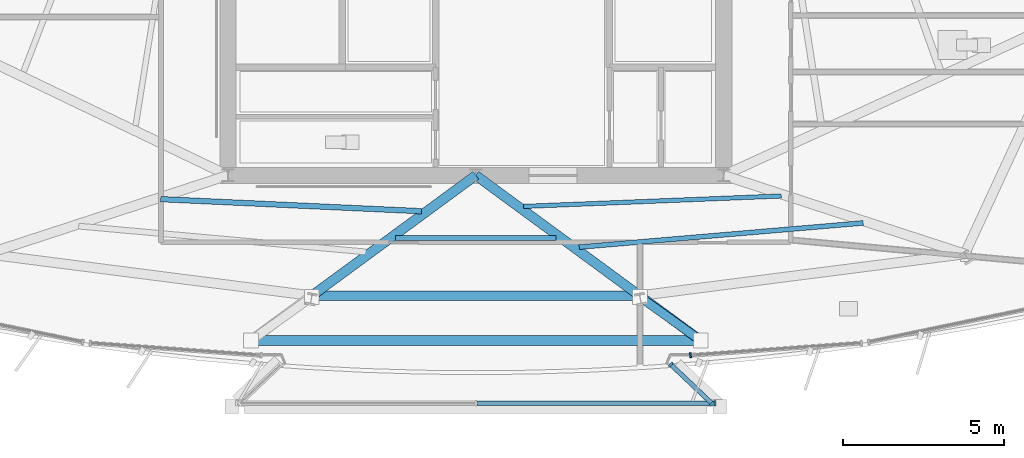
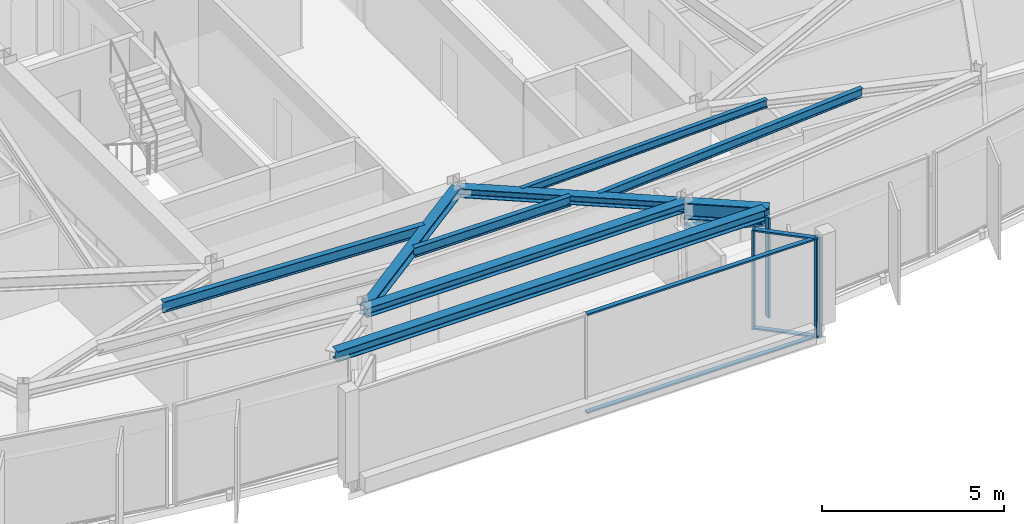
# One storey, part 3 of 13: 9 beams, 9 members, 3 elements without a shape of their own.
"""IFC4 building model written with IfcOpenShell, lengths in metres."""

import ifcopenshell
import ifcopenshell.guid

model = None  # the IFC model being written
_history = None  # IfcOwnerHistory: only IFC2X3 demands one
_inside = {}  # id of a spatial element -> (the spatial element, [elements in it])
_under = {}  # id of a project, library or spatial element -> (it, [spatial elements below it])
_declared = {}  # id of a project -> (the project, [libraries it declares])
_typed = {}  # id of a type object -> (the type object, [elements of that type])
_made_of = {}  # id of a material, layer set ... -> (it, [elements and type objects made of it])


def new_model(schema):
    """Start an empty IFC model of exactly this schema.

    Asked for "IFC4X3", IfcOpenShell would pick the latest addendum, in which some entities
    have other attributes; the version numbers below select the first issue.
    IFC2X3 requires an IfcOwnerHistory on every rooted entity: one is made here for all.
    """
    global model, _history
    if schema == "IFC4X3":
        model = ifcopenshell.file(schema_version=(4, 3, 0, 0))
    else:
        model = ifcopenshell.file(schema=schema)
    _inside.clear()
    _under.clear()
    _declared.clear()
    _typed.clear()
    _made_of.clear()
    _history = None
    if model.schema == "IFC2X3":
        org = make("IfcOrganization", Name="unknown")
        user = make(
            "IfcPersonAndOrganization",
            ThePerson=make("IfcPerson", FamilyName="unknown"),
            TheOrganization=org,
        )
        app = make(
            "IfcApplication",
            ApplicationDeveloper=org,
            Version="unknown",
            ApplicationFullName="unknown",
            ApplicationIdentifier="unknown",
        )
        _history = make(
            "IfcOwnerHistory",
            OwningUser=user,
            OwningApplication=app,
            ChangeAction="ADDED",
            CreationDate=0,
        )
    return model


def make(cls, **values):
    """One entity of the class cls with the attributes given. An attribute that is None is left unset."""
    return model.create_entity(
        cls, **{name: value for name, value in values.items() if value is not None}
    )


def rooted(cls, **values):
    """An entity with a GlobalId (a new one), such as an element, a storey or a relation."""
    return make(cls, GlobalId=ifcopenshell.guid.new(), OwnerHistory=_history, **values)


def si_unit(unit_type, name, prefix=None):
    """IfcSIUnit, for example si_unit("LENGTHUNIT", "METRE", prefix="MILLI")."""
    return make("IfcSIUnit", UnitType=unit_type, Prefix=prefix, Name=name)


def assignment(units):
    """IfcUnitAssignment: the units of a project."""
    return None if units is None else make("IfcUnitAssignment", Units=units)


def point(xyz):
    """IfcCartesianPoint."""
    return None if xyz is None else make("IfcCartesianPoint", Coordinates=xyz)


def direction(xyz):
    """IfcDirection."""
    return None if xyz is None else make("IfcDirection", DirectionRatios=xyz)


def frame(location, z_axis=None, x_axis=None):
    """IfcAxis2Placement3D, a coordinate frame: its origin and axes. An axis left out is left unset."""
    return make(
        "IfcAxis2Placement3D",
        Location=point(location),
        Axis=direction(z_axis),
        RefDirection=direction(x_axis),
    )


def frame_2d(location, x_axis=None):
    """IfcAxis2Placement2D, a coordinate frame in the plane: its origin and x axis."""
    return make(
        "IfcAxis2Placement2D", Location=point(location), RefDirection=direction(x_axis)
    )


def origin():
    """The frame at (0, 0, 0) with its axes left unset."""
    return frame((0.0, 0.0, 0.0))


def origin_2d():
    """The frame at (0, 0) in the plane with its x axis left unset."""
    return frame_2d((0.0, 0.0))


def place(relative_to, where):
    """IfcLocalPlacement: puts the frame where relative to a parent placement (None: the world)."""
    return make(
        "IfcLocalPlacement", PlacementRelTo=relative_to, RelativePlacement=where
    )


def context(
    kind, dimensions, precision=None, world=None, true_north=None, identifier=None
):
    """IfcGeometricRepresentationContext, for example the 3D "Model" context."""
    return make(
        "IfcGeometricRepresentationContext",
        ContextIdentifier=identifier,
        ContextType=kind,
        CoordinateSpaceDimension=dimensions,
        Precision=precision,
        WorldCoordinateSystem=world,
        TrueNorth=true_north,
    )


def subcontext(parent, identifier, kind, view, scale=None):
    """IfcGeometricRepresentationSubContext, for example "Body" below "Model"."""
    return make(
        "IfcGeometricRepresentationSubContext",
        ContextIdentifier=identifier,
        ContextType=kind,
        ParentContext=parent,
        TargetScale=scale,
        TargetView=view,
    )


def project(units=None, contexts=None):
    """IfcProject with its units and contexts."""
    return rooted(
        "IfcProject",
        Name="project",
        RepresentationContexts=contexts,
        UnitsInContext=assignment(units),
    )


def spatial(cls, under=None, at=None, **own):
    """A site, building, storey or space (cls), placed at a placement, below another one or the project."""
    s = rooted(cls, ObjectPlacement=at, **own)
    if under is not None:
        _under.setdefault(under.id(), (under, []))[1].append(s)
    return s


def profile(cls, at=None, kind="AREA", **sizes):
    """A parametric profile (cls). Its sizes go by their IFC names, for example OverallWidth=200.0."""
    return make(cls, ProfileType=kind, Position=at, **sizes)


def rectangle(**sizes):
    """IfcRectangleProfileDef."""
    return profile("IfcRectangleProfileDef", **sizes)


def hollow_circle(**sizes):
    """IfcCircleHollowProfileDef."""
    return profile("IfcCircleHollowProfileDef", **sizes)


def i_section(**sizes):
    """IfcIShapeProfileDef."""
    return profile("IfcIShapeProfileDef", **sizes)


def extrude(swept, where, along, depth):
    """IfcExtrudedAreaSolid: the profile swept, set in the frame where, extruded along a direction by depth."""
    return make(
        "IfcExtrudedAreaSolid",
        SweptArea=swept,
        Position=where,
        ExtrudedDirection=direction(along),
        Depth=depth,
    )


def shape(context_of_items, identifier, shape_type, items):
    """IfcShapeRepresentation: the items that make up one representation, for example the "Body"."""
    return make(
        "IfcShapeRepresentation",
        ContextOfItems=context_of_items,
        RepresentationIdentifier=identifier,
        RepresentationType=shape_type,
        Items=items,
    )


def material(Name=None, Category=None):
    """IfcMaterial."""
    return make("IfcMaterial", Name=Name, Category=Category)


def material_profile(
    of_material, cross_section, Name=None, Category=None, Priority=None
):
    """IfcMaterialProfile: a cross section and its material."""
    return make(
        "IfcMaterialProfile",
        Name=Name,
        Material=of_material,
        Profile=cross_section,
        Priority=Priority,
        Category=Category,
    )


def profile_set(profiles, Name=None, composite=None):
    """IfcMaterialProfileSet."""
    return make(
        "IfcMaterialProfileSet",
        Name=Name,
        MaterialProfiles=profiles,
        CompositeProfile=composite,
    )


def made_of(thing, what):
    """Note that an element or type object is made of a material, layer set ...; save() writes the relation."""
    if what is not None:
        _made_of.setdefault(what.id(), (what, []))[1].append(thing)
    return thing


def type_object(cls, material=None, **own):
    """A type object (cls), such as IfcWallType, which elements share."""
    return made_of(rooted(cls, **own), material)


def element(
    cls,
    number,
    at=None,
    inside=None,
    cuts=None,
    type_object=None,
    material=None,
    context=None,
    identifier="Body",
    shape_type=None,
    held_by="IfcProductDefinitionShape",
    body=None,
    shapes=None,
    **own,
):
    """One element of the class cls, such as IfcWall. Its Tag is "e" and its number.

    at: its placement. inside: the storey or other place that contains it. cuts: it is an
    opening in that element (IfcRelVoidsElement). A single representation is given by context,
    identifier, shape_type and body (its items); several are given by shapes. held_by: the class
    of the entity that holds the representations. save() writes the other relations.
    """
    e = rooted(cls, Tag="e%d" % number, ObjectPlacement=at, **own)
    if body is not None:
        shapes = [shape(context, identifier, shape_type, body)]
    if shapes is not None:
        e.Representation = make(held_by, Representations=shapes)
    if inside is not None:
        _inside.setdefault(inside.id(), (inside, []))[1].append(e)
    if cuts is not None:
        rooted(
            "IfcRelVoidsElement", RelatingBuildingElement=cuts, RelatedOpeningElement=e
        )
    if type_object is not None:
        _typed.setdefault(type_object.id(), (type_object, []))[1].append(e)
    return made_of(e, material)


def aggregate(whole, parts):
    """IfcRelAggregates: a whole, such as a stair, and the parts it consists of."""
    return rooted("IfcRelAggregates", RelatingObject=whole, RelatedObjects=parts)


def save(model, path):
    """Write the relations noted so far, then the file.

    IfcRelAggregates (storeys below a building ...), IfcRelContainedInSpatialStructure (elements
    in a storey), IfcRelDefinesByType, IfcRelAssociatesMaterial and IfcRelDeclares: one each for
    every whole, place, type object, material and project.
    """
    for whole, parts in _under.values():
        aggregate(whole, parts)
    for where, things in _inside.values():
        rooted(
            "IfcRelContainedInSpatialStructure",
            RelatedElements=things,
            RelatingStructure=where,
        )
    for kind, things in _typed.values():
        rooted("IfcRelDefinesByType", RelatedObjects=things, RelatingType=kind)
    for what, things in _made_of.values():
        rooted("IfcRelAssociatesMaterial", RelatedObjects=things, RelatingMaterial=what)
    for by, libraries in _declared.values():
        rooted("IfcRelDeclares", RelatingContext=by, RelatedDefinitions=libraries)
    model.write(path)


model = new_model("IFC4")

# Units and contexts
model_context = context("Model", 3, precision=1e-05, world=origin(), true_north=direction((0.0, 1.0)))
body_context = subcontext(model_context, "Body", "Model", "MODEL_VIEW")
ifc_project = project(units=[si_unit("LENGTHUNIT", "METRE"), si_unit("AREAUNIT", "SQUARE_METRE"), si_unit("VOLUMEUNIT", "CUBIC_METRE"), si_unit("PLANEANGLEUNIT", "RADIAN"), si_unit("MASSUNIT", "GRAM", prefix="KILO")], contexts=[model_context])

# Site, building, storey
site_placement = place(None, origin())
site = spatial("IfcSite", under=ifc_project, at=site_placement, CompositionType="ELEMENT")
building_placement = place(site_placement, origin())
building = spatial("IfcBuilding", under=site, at=building_placement, Name="Savorim Split Tower", CompositionType="ELEMENT")
storey_placement = place(building_placement, frame((0.0, 0.0, 283.199951171875)))
storey = spatial("IfcBuildingStorey", under=building, at=storey_placement, Name="L75", CompositionType="ELEMENT", Elevation=283.199951171875)

# Beams
ifc_material_1 = material(Name="Steel S355", Category="steel")
ifc_material_profile_1 = material_profile(ifc_material_1, i_section(OverallWidth=0.135009765625, OverallDepth=0.27001953125, WebThickness=0.006591796875, FlangeThickness=0.01025390625, FilletRadius=0.014892578125, at=origin_2d()), Name="IPE 270")
ifc_profile_set_1 = profile_set([ifc_material_profile_1], Name="Steel S355")
beam_type_1 = type_object("IfcBeamType", Name="BM-JST-IPE270", PredefinedType="JOIST", material=ifc_profile_set_1)
beam_1_placement = place(storey_placement, frame((1.483154296875, -10.365478515625, 3.215087890625), z_axis=(0.999181659399, 0.040447639243, 0.0), x_axis=(-0.040447639243, 0.999181659399, 0.0)))
element("IfcBeam", 1, at=beam_1_placement, inside=storey, type_object=beam_type_1, Name="L75 Secondary Floor Joist JS-05", PredefinedType="JOIST", context=body_context, shape_type="SweptSolid", body=[
    extrude(i_section(OverallWidth=0.135009765625, OverallDepth=0.27001953125, WebThickness=0.006591796875, FlangeThickness=0.01025390625, FilletRadius=0.014892578125, at=origin_2d()), origin(), (0.0, 0.0, 1.0), 8.009765625),
])
ifc_material_profile_2 = material_profile(ifc_material_1, i_section(OverallWidth=0.14990234375, OverallDepth=0.300048828125, WebThickness=0.007080078125, FlangeThickness=0.0107421875, FilletRadius=0.014892578125, at=origin_2d()), Name="IPE 300")
ifc_profile_set_2 = profile_set([ifc_material_profile_2], Name="Steel S355")
beam_type_2 = type_object("IfcBeamType", Name="BM-JST-IPE300", PredefinedType="JOIST", material=ifc_profile_set_2)
beam_2_placement = place(storey_placement, frame((3.212890625, -11.62939453125, 3.199951171875), z_axis=(0.996398503086, 0.084794003612, 0.0), x_axis=(-0.084794003612, 0.996398503086, 0.0)))
element("IfcBeam", 2, at=beam_2_placement, inside=storey, type_object=beam_type_2, Name="L75 Secondary Floor Joist JS-04", PredefinedType="JOIST", context=body_context, shape_type="SweptSolid", body=[
    extrude(i_section(OverallWidth=0.14990234375, OverallDepth=0.300048828125, WebThickness=0.007080078125, FlangeThickness=0.0107421875, FilletRadius=0.014892578125, at=origin_2d()), origin(), (0.0, 0.0, 1.0), 8.850830078125),
])
ifc_material_profile_3 = material_profile(ifc_material_1, i_section(OverallWidth=0.159912109375, OverallDepth=0.330078125, WebThickness=0.007568359375, FlangeThickness=0.011474609375, FilletRadius=0.01806640625, at=origin_2d()), Name="IPE 330")
ifc_profile_set_3 = profile_set([ifc_material_profile_3], Name="Steel S355")
beam_type_3 = type_object("IfcBeamType", Name="BM-JST-IPE330", PredefinedType="JOIST", material=ifc_profile_set_3)
beam_3_placement = place(storey_placement, frame((-2.486572265625, -11.343994140625, 3.18505859375), z_axis=(1.0, 0.0, 0.0), x_axis=(0.0, 1.0, 0.0)))
element("IfcBeam", 3, at=beam_3_placement, inside=storey, type_object=beam_type_3, Name="L75 Secondary Floor Joist JS-03", PredefinedType="JOIST", context=body_context, shape_type="SweptSolid", body=[
    extrude(i_section(OverallWidth=0.159912109375, OverallDepth=0.330078125, WebThickness=0.007568359375, FlangeThickness=0.011474609375, FilletRadius=0.01806640625, at=origin_2d()), origin(), (0.0, 0.0, 1.0), 4.97314453125),
])
ifc_material_profile_4 = material_profile(ifc_material_1, i_section(OverallWidth=0.169921875, OverallDepth=0.360107421875, WebThickness=0.008056640625, FlangeThickness=0.0126953125, FilletRadius=0.01806640625, at=origin_2d()), Name="IPE 360")
ifc_profile_set_4 = profile_set([ifc_material_profile_4], Name="Steel S355")
beam_type_4 = type_object("IfcBeamType", Name="BM-JST-IPE360", PredefinedType="JOIST", material=ifc_profile_set_4)
beam_4_placement = place(storey_placement, frame((-9.785888671875, -10.139892578125, 3.170166015625), z_axis=(0.998934048087, -0.046160238002, 0.0), x_axis=(0.046160238002, 0.998934048087, 0.0)))
element("IfcBeam", 4, at=beam_4_placement, inside=storey, type_object=beam_type_4, Name="L75 Secondary Floor Joist JS-02", PredefinedType="JOIST", context=body_context, shape_type="SweptSolid", body=[
    extrude(i_section(OverallWidth=0.169921875, OverallDepth=0.360107421875, WebThickness=0.008056640625, FlangeThickness=0.0126953125, FilletRadius=0.01806640625, at=origin_2d()), origin(), (0.0, 0.0, 1.0), 8.10791015625),
])
ifc_material_profile_5 = material_profile(ifc_material_1, i_section(OverallWidth=0.300048828125, OverallDepth=0.300048828125, WebThickness=0.010986328125, FlangeThickness=0.01904296875, FilletRadius=0.027099609375, at=origin_2d()), Name="HEB 300")
ifc_profile_set_5 = profile_set([ifc_material_profile_5], Name="Steel S355")
beam_type_5 = type_object("IfcBeamType", Name="BM-PRI-HEB300", PredefinedType="BEAM", material=ifc_profile_set_5)
for number, where, z_axis, x_axis, name in (
    (5, (-5.08935546875, -13.138427734375, 3.199951171875), (0.805926610043, 0.592015455224, 0.0), (-0.592015455224, 0.805926610043, 0.0), "L75 Primary Floor Girder RG-02"),
    (6, (5.08935546875, -13.138427734375, 3.199951171875), (-0.805926610043, 0.592015455224, 0.0), (-0.592015455224, -0.805926610043, 0.0), "L75 Primary Floor Girder RG-03"),
):
    element("IfcBeam", number, at=place(storey_placement, frame(where, z_axis=z_axis, x_axis=x_axis)), inside=storey, type_object=beam_type_5, Name=name, PredefinedType="BEAM", context=body_context, shape_type="SweptSolid", body=[
        extrude(i_section(OverallWidth=0.300048828125, OverallDepth=0.300048828125, WebThickness=0.010986328125, FlangeThickness=0.01904296875, FilletRadius=0.027099609375, at=origin_2d()), origin(), (0.0, 0.0, 1.0), 6.31494140625),
    ])
ifc_material_profile_6 = material_profile(ifc_material_1, i_section(OverallWidth=0.300048828125, OverallDepth=0.550048828125, WebThickness=0.014892578125, FlangeThickness=0.029052734375, FilletRadius=0.027099609375, at=origin_2d()), Name="HEB 550")
ifc_profile_set_6 = profile_set([ifc_material_profile_6], Name="Steel S355")
beam_type_6 = type_object("IfcBeamType", Name="BM-PRI-HEB550", PredefinedType="BEAM", material=ifc_profile_set_6)
beam_5_placement = place(storey_placement, frame((5.08935546875, -13.138427734375, 3.074951171875), z_axis=(0.805968804332, -0.59195801071, 0.0), x_axis=(0.59195801071, 0.805968804332, 0.0)))
element("IfcBeam", 7, at=beam_5_placement, inside=storey, type_object=beam_type_6, Name="L75 Cantilevered Lounge Rib 2", PredefinedType="BEAM", context=body_context, shape_type="SweptSolid", body=[
    extrude(i_section(OverallWidth=0.300048828125, OverallDepth=0.550048828125, WebThickness=0.014892578125, FlangeThickness=0.029052734375, FilletRadius=0.027099609375, at=origin_2d()), origin(), (0.0, 0.0, 1.0), 2.35009765625),
])
ifc_material_profile_7 = material_profile(ifc_material_1, i_section(OverallWidth=0.300048828125, OverallDepth=0.31005859375, WebThickness=0.009033203125, FlangeThickness=0.015380859375, FilletRadius=0.027099609375, at=origin_2d()), Name="HEA 320")
ifc_profile_set_7 = profile_set([ifc_material_profile_7], Name="Steel S355")
beam_type_7 = type_object("IfcBeamType", Name="BM-SPN-HEA320", PredefinedType="SPANDREL", material=ifc_profile_set_7)
beam_6_placement = place(storey_placement, frame((-5.08935546875, -13.138427734375, 3.195068359375), z_axis=(1.0, 0.0, 0.0), x_axis=(0.0, 1.0, 0.0)))
element("IfcBeam", 8, at=beam_6_placement, inside=storey, type_object=beam_type_7, Name="L75 Perimeter Spandrel Beam 2", PredefinedType="SPANDREL", context=body_context, shape_type="SweptSolid", body=[
    extrude(i_section(OverallWidth=0.300048828125, OverallDepth=0.31005859375, WebThickness=0.009033203125, FlangeThickness=0.015380859375, FilletRadius=0.027099609375, at=origin_2d()), origin(), (0.0, 0.0, 1.0), 10.1787109375),
])
ifc_material_profile_8 = material_profile(ifc_material_1, i_section(OverallWidth=0.300048828125, OverallDepth=0.35009765625, WebThickness=0.010009765625, FlangeThickness=0.017578125, FilletRadius=0.027099609375, at=origin_2d()), Name="HEA 360")
ifc_profile_set_8 = profile_set([ifc_material_profile_8], Name="Steel S355")
beam_type_8 = type_object("IfcBeamType", Name="BM-SPN-HEA360", PredefinedType="SPANDREL", material=ifc_profile_set_8)
beam_7_placement = place(storey_placement, frame((-6.823486328125, -14.529541015625, 3.175048828125), z_axis=(1.0, 0.0, 0.0), x_axis=(0.0, 1.0, 0.0)))
element("IfcBeam", 9, at=beam_7_placement, inside=storey, type_object=beam_type_8, Name="L75 Cantilevered Lounge Front Edge Beam", PredefinedType="SPANDREL", context=body_context, shape_type="SweptSolid", body=[
    extrude(i_section(OverallWidth=0.300048828125, OverallDepth=0.35009765625, WebThickness=0.010009765625, FlangeThickness=0.017578125, FilletRadius=0.027099609375, at=origin_2d()), origin(), (0.0, 0.0, 1.0), 13.64697265625),
])

# Curtain wall, member
ifc_material_2 = material(Name="Dark Ceramic-Fritted Insulated Glass", Category="glass")
curtain_wall_type_1 = type_object("IfcCurtainWallType", Name="CW-TWR-FRIT-B", PredefinedType="NOTDEFINED", material=ifc_material_2)
curtain_wall_1_placement = place(storey_placement, origin())
curtain_wall_1 = element("IfcCurtainWall", 10, at=curtain_wall_1_placement, inside=storey, type_object=curtain_wall_type_1, Name="L75 Curtain Wall CW-L75-SF3A", PredefinedType="NOTDEFINED")
ifc_material_3 = material(Name="Charcoal Anodised Aluminium", Category="aluminium")
ifc_material_profile_9 = material_profile(ifc_material_3, rectangle(XDim=0.159912109375, YDim=0.06005859375, at=origin_2d()), Name="ALU-M 160x60")
ifc_profile_set_9 = profile_set([ifc_material_profile_9], Name="Charcoal Anodised Aluminium")
member_type_1 = type_object("IfcMemberType", Name="CWM-160x60", PredefinedType="MULLION", material=ifc_profile_set_9)
member_1_placement = place(storey_placement, frame((6.667236328125, -14.990234375, 0.0), z_axis=(0.0, 0.0, 1.0), x_axis=(-0.071549884359, 0.997437022598, 0.0)))
member_1 = element("IfcMember", 11, at=member_1_placement, type_object=member_type_1, Name="CW-03 mullion 1", PredefinedType="MULLION", context=body_context, shape_type="SweptSolid", body=[
    extrude(rectangle(XDim=0.159912109375, YDim=0.06005859375, at=origin_2d()), origin(), (0.0, 0.0, 1.0), 3.35009765625),
])
aggregate(curtain_wall_1, [member_1])

curtain_wall_type_2 = type_object("IfcCurtainWallType", Name="CW-BAY-LOUNGE", PredefinedType="NOTDEFINED", material=ifc_material_2)
curtain_wall_2_placement = place(storey_placement, origin())
curtain_wall_2 = element("IfcCurtainWall", 12, at=curtain_wall_2_placement, inside=storey, type_object=curtain_wall_type_2, Name="L75 Curtain Wall CW-L75-BAYF", PredefinedType="NOTDEFINED")
ifc_material_profile_10 = material_profile(ifc_material_3, rectangle(XDim=0.179931640625, YDim=0.06494140625, at=origin_2d()), Name="ALU-M 180x65")
ifc_profile_set_10 = profile_set([ifc_material_profile_10], Name="Charcoal Anodised Aluminium")
member_type_2 = type_object("IfcMemberType", Name="CWM-180x65", PredefinedType="MULLION", material=ifc_profile_set_10)
member_2_placement = place(storey_placement, frame((7.426025390625, -16.4794921875, 0.0), z_axis=(0.0, 0.0, 1.0), x_axis=(0.0, 1.0, 0.0)))
member_2 = element("IfcMember", 13, at=member_2_placement, type_object=member_type_2, Name="CW-04 mullion 3", PredefinedType="MULLION", context=body_context, shape_type="SweptSolid", body=[
    extrude(rectangle(XDim=0.179931640625, YDim=0.06494140625, at=origin_2d()), origin(), (0.0, 0.0, 1.0), 3.35009765625),
])

# Curtain wall, members
curtain_wall_3_placement = place(storey_placement, origin())
curtain_wall_3 = element("IfcCurtainWall", 14, at=curtain_wall_3_placement, inside=storey, type_object=curtain_wall_type_2, Name="L75 Curtain Wall CW-L75-BAYE", PredefinedType="NOTDEFINED")
member_3_placement = place(storey_placement, frame((7.33740234375, -16.48876953125, 0.0), z_axis=(0.0, 0.0, 1.0), x_axis=(-0.68774767108, -0.725949819839, 0.0)))
member_3 = element("IfcMember", 15, at=member_3_placement, type_object=member_type_2, Name="CW-04 mullion 1", PredefinedType="MULLION", context=body_context, shape_type="SweptSolid", body=[
    extrude(rectangle(XDim=0.179931640625, YDim=0.06494140625, at=origin_2d()), origin(), (0.0, 0.0, 1.0), 3.35009765625),
])
member_4_placement = place(storey_placement, frame((6.052490234375, -15.271484375, 0.0), z_axis=(0.0, 0.0, 1.0), x_axis=(-0.68774767108, -0.725949819839, 0.0)))
member_4 = element("IfcMember", 16, at=member_4_placement, type_object=member_type_2, Name="CW-04 mullion 2", PredefinedType="MULLION", context=body_context, shape_type="SweptSolid", body=[
    extrude(rectangle(XDim=0.179931640625, YDim=0.06494140625, at=origin_2d()), origin(), (0.0, 0.0, 1.0), 3.35009765625),
])

# Member
ifc_material_profile_11 = material_profile(ifc_material_3, rectangle(XDim=0.139892578125, YDim=0.054931640625, at=origin_2d()), Name="ALU-T 140x55")
ifc_profile_set_11 = profile_set([ifc_material_profile_11], Name="Charcoal Anodised Aluminium")
member_type_3 = type_object("IfcMemberType", Name="CWT-140x55", PredefinedType="USERDEFINED", material=ifc_profile_set_11)
member_5_placement = place(storey_placement, frame((0.032470703125, -16.4794921875, 0.027587890625), z_axis=(1.0, 0.0, 0.0), x_axis=(0.0, 1.0, 0.0)))
member_5 = element("IfcMember", 17, at=member_5_placement, type_object=member_type_3, Name="CW-04 transom 2.1", ObjectType="TRANSOM", PredefinedType="USERDEFINED", context=body_context, shape_type="SweptSolid", body=[
    extrude(rectangle(XDim=0.139892578125, YDim=0.054931640625, at=origin_2d()), origin(), (0.0, 0.0, 1.0), 7.361083984375),
])

member_6_placement = place(storey_placement, frame((0.032470703125, -16.4794921875, 3.322509765625), z_axis=(1.0, 0.0, 0.0), x_axis=(0.0, 1.0, 0.0)))
member_6 = element("IfcMember", 18, at=member_6_placement, type_object=member_type_3, Name="CW-04 transom 2.2", ObjectType="TRANSOM", PredefinedType="USERDEFINED", context=body_context, shape_type="SweptSolid", body=[
    extrude(rectangle(XDim=0.139892578125, YDim=0.054931640625, at=origin_2d()), origin(), (0.0, 0.0, 1.0), 7.361083984375),
])

aggregate(curtain_wall_2, [member_2, member_5, member_6])

member_7_placement = place(storey_placement, frame((7.313720703125, -16.46630859375, 0.027587890625), z_axis=(-0.725896236465, 0.687804226424, 0.0), x_axis=(-0.687804226424, -0.725896236465, 0.0)))
member_7 = element("IfcMember", 19, at=member_7_placement, type_object=member_type_3, Name="CW-04 transom 1.1", ObjectType="TRANSOM", PredefinedType="USERDEFINED", context=body_context, shape_type="SweptSolid", body=[
    extrude(rectangle(XDim=0.139892578125, YDim=0.054931640625, at=origin_2d()), origin(), (0.0, 0.0, 1.0), 1.704833984375),
])

member_8_placement = place(storey_placement, frame((7.313720703125, -16.46630859375, 3.322509765625), z_axis=(-0.725896236465, 0.687804226424, 0.0), x_axis=(-0.687804226424, -0.725896236465, 0.0)))
member_8 = element("IfcMember", 20, at=member_8_placement, type_object=member_type_3, Name="CW-04 transom 1.2", ObjectType="TRANSOM", PredefinedType="USERDEFINED", context=body_context, shape_type="SweptSolid", body=[
    extrude(rectangle(XDim=0.139892578125, YDim=0.054931640625, at=origin_2d()), origin(), (0.0, 0.0, 1.0), 1.704833984375),
])

aggregate(curtain_wall_3, [member_3, member_4, member_7, member_8])

ifc_material_profile_12 = material_profile(ifc_material_1, hollow_circle(Radius=0.136474609375, WallThickness=0.01611328125, at=origin_2d()), Name="CHS 273x16")
ifc_profile_set_12 = profile_set([ifc_material_profile_12], Name="Steel S355")
member_type_4 = type_object("IfcMemberType", Name="MBR-CRN-CHS273", PredefinedType="BRACE", material=ifc_profile_set_12)
member_9_placement = place(storey_placement, frame((5.097412109375, -13.1787109375, 2.449951171875), z_axis=(0.802825589691, -0.57502058094, 0.1575512743), x_axis=(0.58229294937, 0.812979041005, 0.0)))
element("IfcMember", 21, at=member_9_placement, inside=storey, type_object=member_type_4, Name="L75 Cantilevered Bay Support Strut 2", PredefinedType="BRACE", context=body_context, shape_type="SweptSolid", body=[
    extrude(hollow_circle(Radius=0.136474609375, WallThickness=0.01611328125, at=origin_2d()), origin(), (0.0, 0.0, 1.0), 2.34912109375),
])

save(model, "model.ifc")
